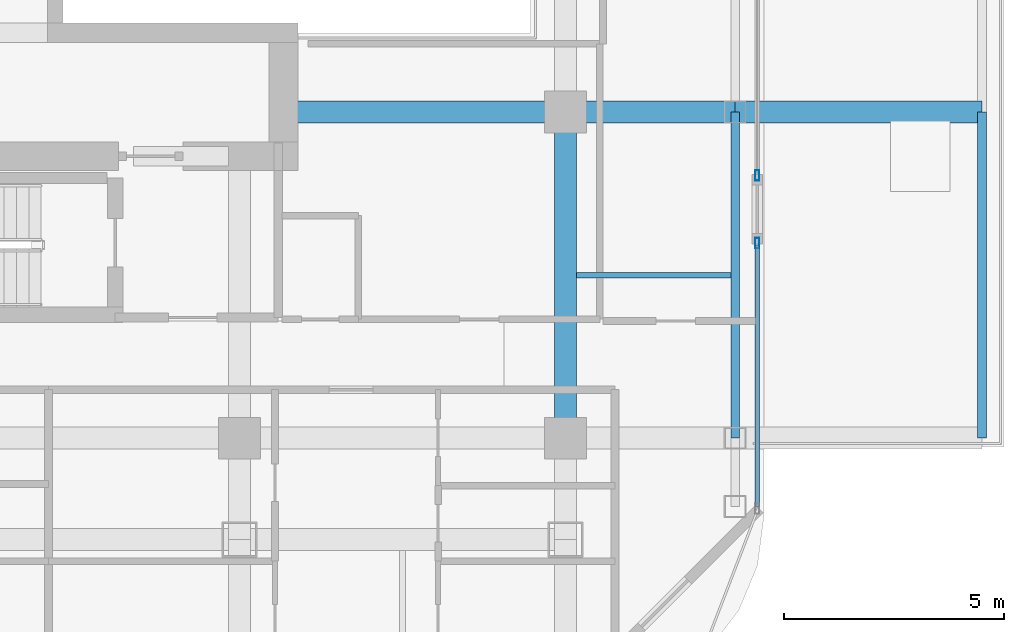
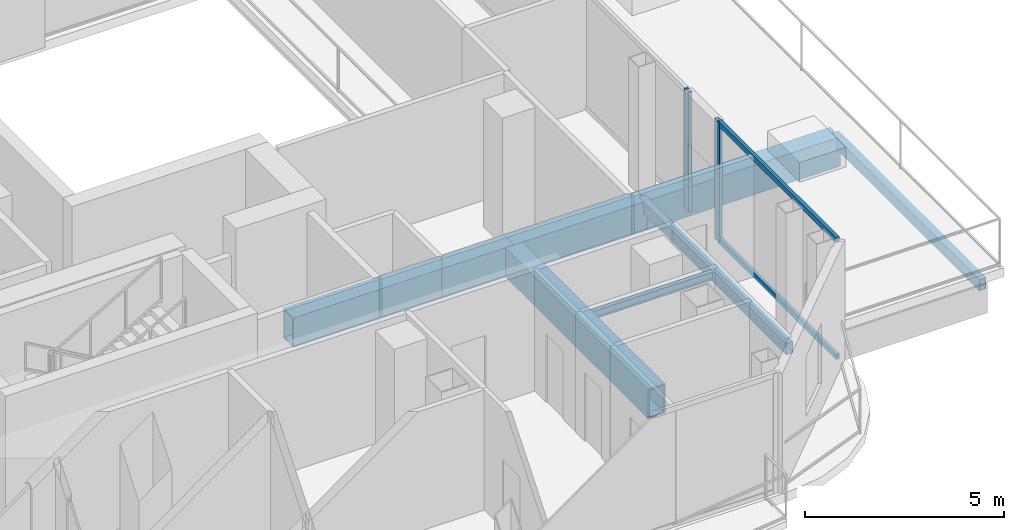
# One storey, part 9 of 24: 7 beams, 4 members, 2 elements without a shape of their own.
"""IFC4 building model written with IfcOpenShell, lengths in metres."""

from ifc_helpers import new_model, si_unit, direction, frame, origin, origin_2d, place, context, subcontext, project, spatial, hollow_rectangle, i_section, extrude, material, layer, layer_set, material_profile, profile_set, type_object, element, aggregate, save


model = new_model("IFC4")

# Units and contexts
model_context = context("Model", 3, precision=1e-05, world=origin(), true_north=direction((0.0, 1.0)))
body_context = subcontext(model_context, "Body", "Model", "MODEL_VIEW")
ifc_project = project(units=[si_unit("LENGTHUNIT", "METRE"), si_unit("AREAUNIT", "SQUARE_METRE"), si_unit("VOLUMEUNIT", "CUBIC_METRE"), si_unit("PLANEANGLEUNIT", "RADIAN"), si_unit("MASSUNIT", "GRAM", prefix="KILO")], contexts=[model_context])

# Site, building, storey
site_placement = place(None, origin())
site = spatial("IfcSite", under=ifc_project, at=site_placement, CompositionType="ELEMENT")
building_placement = place(site_placement, origin())
building = spatial("IfcBuilding", under=site, at=building_placement, Name="Khorvyn Point Tower", CompositionType="ELEMENT")
storey_placement = place(building_placement, frame((0.0, 0.0, 285.89990234375)))
storey = spatial("IfcBuildingStorey", under=building, at=storey_placement, Name="L70", CompositionType="ELEMENT", Elevation=285.89990234375)

# Curtain wall, member
ifc_material_1 = material(Name="Anodised aluminium 6063-T6 and laminated Low-E glass", Category="aluminium")
ifc_layer = layer(ifc_material_1, 0.18994140625)
ifc_layer_set = layer_set([ifc_layer], Name="Stick-Built High-Wind Curtain Wall CW-SYS-04")
curtain_wall_type = type_object("IfcCurtainWallType", Name="Stick-Built High-Wind Curtain Wall CW-SYS-04", PredefinedType="NOTDEFINED", material=ifc_layer_set)
curtain_wall_1_placement = place(storey_placement, origin())
curtain_wall_1 = element("IfcCurtainWall", 1, at=curtain_wall_1_placement, inside=storey, type_object=curtain_wall_type, Name="Curtain Wall", PredefinedType="NOTDEFINED")
ifc_material_2 = material(Name="Anodised aluminium 6063-T6", Category="aluminium")
ifc_material_profile_1 = material_profile(ifc_material_2, hollow_rectangle(XDim=0.10009765625, YDim=0.239990234375, WallThickness=0.0048828125, at=origin_2d()))
ifc_profile_set_1 = profile_set([ifc_material_profile_1], Name="Anodised aluminium 6063-T6 ALU-MUL-100x240")
member_type_1 = type_object("IfcMemberType", Name="Anodised Aluminium 6063-T6 Mullion ALU-MUL-100x240", PredefinedType="MULLION", material=ifc_profile_set_1)
member_1_placement = place(storey_placement, frame((19.14990234375, -8.8349609375, 0.0), z_axis=(0.0, 0.0, 1.0), x_axis=(1.0, 0.0, 0.0)))
member_1 = element("IfcMember", 2, at=member_1_placement, type_object=member_type_1, Name="Transom", PredefinedType="MULLION", context=body_context, shape_type="SweptSolid", body=[
    extrude(hollow_rectangle(XDim=0.10009765625, YDim=0.239990234375, WallThickness=0.0048828125, at=origin_2d()), origin(), (0.0, 0.0, 1.0), 3.68017578125),
])
aggregate(curtain_wall_1, [member_1])

# Curtain wall, members
curtain_wall_2_placement = place(storey_placement, origin())
curtain_wall_2 = element("IfcCurtainWall", 3, at=curtain_wall_2_placement, inside=storey, type_object=curtain_wall_type, Name="Curtain Wall", PredefinedType="NOTDEFINED")
member_2_placement = place(storey_placement, frame((19.14990234375, -10.375, 0.0), z_axis=(0.0, 0.0, 1.0), x_axis=(1.0, 0.0, 0.0)))
member_2 = element("IfcMember", 4, at=member_2_placement, type_object=member_type_1, Name="Transom", PredefinedType="MULLION", context=body_context, shape_type="SweptSolid", body=[
    extrude(hollow_rectangle(XDim=0.10009765625, YDim=0.239990234375, WallThickness=0.0048828125, at=origin_2d()), origin(), (0.0, 0.0, 1.0), 3.68017578125),
])
ifc_material_profile_2 = material_profile(ifc_material_2, hollow_rectangle(XDim=0.10009765625, YDim=0.159912109375, WallThickness=0.00439453125, at=origin_2d()))
ifc_profile_set_2 = profile_set([ifc_material_profile_2], Name="Anodised aluminium 6063-T6 ALU-TRN-100x160")
member_type_2 = type_object("IfcMemberType", Name="Anodised Aluminium 6063-T6 Transom ALU-TRN-100x160", PredefinedType="USERDEFINED", material=ifc_profile_set_2)
member_3_placement = place(storey_placement, frame((19.14990234375, -10.425048828125, 0.050048828125), z_axis=(0.0, -1.0, 0.0), x_axis=(1.0, 0.0, 0.0)))
member_3 = element("IfcMember", 5, at=member_3_placement, type_object=member_type_2, Name="Transom", ObjectType="TRANSOM", PredefinedType="USERDEFINED", context=body_context, shape_type="SweptSolid", body=[
    extrude(hollow_rectangle(XDim=0.10009765625, YDim=0.159912109375, WallThickness=0.00439453125, at=origin_2d()), origin(), (0.0, 0.0, 1.0), 5.925048828125),
])
member_4_placement = place(storey_placement, frame((19.14990234375, -10.425048828125, 3.630126953125), z_axis=(0.0, -1.0, 0.0), x_axis=(1.0, 0.0, 0.0)))
member_4 = element("IfcMember", 6, at=member_4_placement, type_object=member_type_2, Name="Transom", ObjectType="TRANSOM", PredefinedType="USERDEFINED", context=body_context, shape_type="SweptSolid", body=[
    extrude(hollow_rectangle(XDim=0.10009765625, YDim=0.159912109375, WallThickness=0.00439453125, at=origin_2d()), origin(), (0.0, 0.0, 1.0), 5.925048828125),
])
aggregate(curtain_wall_2, [member_2, member_3, member_4])

# Beams
ifc_material_3 = material(Name="Steel S355", Category="steel")
ifc_material_profile_3 = material_profile(ifc_material_3, i_section(OverallWidth=0.125, OverallDepth=0.25, WebThickness=0.006103515625, FlangeThickness=0.009033203125, at=origin_2d()))
ifc_profile_set_3 = profile_set([ifc_material_profile_3], Name="Steel S355 H250x125x6x9")
beam_type_1 = type_object("IfcBeamType", Name="Steel S355 Joist H250x125x6x9", PredefinedType="JOIST", material=ifc_profile_set_3)
beam_1_placement = place(storey_placement, frame((15.050048828125, -11.10009765625, -0.40478515625), z_axis=(1.0, 0.0, 0.0), x_axis=(0.0, 1.0, 0.0)))
element("IfcBeam", 7, at=beam_1_placement, inside=storey, type_object=beam_type_1, Name="Beam", PredefinedType="JOIST", context=body_context, shape_type="SweptSolid", body=[
    extrude(i_section(OverallWidth=0.125, OverallDepth=0.25, WebThickness=0.006103515625, FlangeThickness=0.009033203125, at=origin_2d()), origin(), (0.0, 0.0, 1.0), 3.5),
])
ifc_material_profile_4 = material_profile(ifc_material_3, hollow_rectangle(XDim=0.199951171875, YDim=0.35009765625, WallThickness=0.013916015625, at=origin_2d()))
ifc_profile_set_4 = profile_set([ifc_material_profile_4], Name="Steel S355 RHS350x200x14")
beam_type_2 = type_object("IfcBeamType", Name="Steel S355 Spandrel RHS350x200x14", PredefinedType="SPANDREL", material=ifc_profile_set_4)
for number, where, z_axis, x_axis, name in (
    (8, (18.64990234375, -14.800048828125, -0.454833984375), (0.0, 1.0, 0.0), (-1.0, 0.0, 0.0), "Beam"),
    (9, (24.25, -14.800048828125, -0.454833984375), (0.0, 1.0, 0.0), (-1.0, 0.0, 0.0), "Beam"),
):
    element("IfcBeam", number, at=place(storey_placement, frame(where, z_axis=z_axis, x_axis=x_axis)), inside=storey, type_object=beam_type_2, Name=name, PredefinedType="SPANDREL", context=body_context, shape_type="SweptSolid", body=[
        extrude(hollow_rectangle(XDim=0.199951171875, YDim=0.35009765625, WallThickness=0.013916015625, at=origin_2d()), origin(), (0.0, 0.0, 1.0), 7.400146484375),
    ])
ifc_material_4 = material(Name="Steel S450", Category="steel")
ifc_material_profile_5 = material_profile(ifc_material_4, hollow_rectangle(XDim=0.5, YDim=0.89990234375, WallThickness=0.0400390625, at=origin_2d()))
ifc_profile_set_5 = profile_set([ifc_material_profile_5], Name="Steel S450 BOX900x500x40")
beam_type_3 = type_object("IfcBeamType", Name="Steel S450 Beam BOX900x500x40", PredefinedType="BEAM", material=ifc_profile_set_5)
beam_2_placement = place(storey_placement, frame((8.39990234375, -7.39990234375, -0.72998046875), z_axis=(1.0, 0.0, 0.0), x_axis=(0.0, 1.0, 0.0)))
element("IfcBeam", 10, at=beam_2_placement, inside=storey, type_object=beam_type_3, Name="Beam", PredefinedType="BEAM", context=body_context, shape_type="SweptSolid", body=[
    extrude(hollow_rectangle(XDim=0.5, YDim=0.89990234375, WallThickness=0.0400390625, at=origin_2d()), origin(), (0.0, 0.0, 1.0), 6.400146484375),
])
beam_3_placement = place(storey_placement, frame((14.800048828125, -7.39990234375, -0.72998046875), z_axis=(1.0, 0.0, 0.0), x_axis=(0.0, 1.0, 0.0)))
element("IfcBeam", 11, at=beam_3_placement, inside=storey, type_object=beam_type_3, Name="Beam", PredefinedType="BEAM", context=body_context, shape_type="SweptSolid", body=[
    extrude(hollow_rectangle(XDim=0.5, YDim=0.89990234375, WallThickness=0.0400390625, at=origin_2d()), origin(), (0.0, 0.0, 1.0), 3.849853515625),
])
beam_4_placement = place(storey_placement, frame((18.64990234375, -7.39990234375, -0.72998046875), z_axis=(1.0, 0.0, 0.0), x_axis=(0.0, 1.0, 0.0)))
element("IfcBeam", 12, at=beam_4_placement, inside=storey, type_object=beam_type_3, Name="Beam", PredefinedType="BEAM", context=body_context, shape_type="SweptSolid", body=[
    extrude(hollow_rectangle(XDim=0.5, YDim=0.89990234375, WallThickness=0.0400390625, at=origin_2d()), origin(), (0.0, 0.0, 1.0), 5.60009765625),
])
beam_5_placement = place(storey_placement, frame((14.800048828125, -14.800048828125, -0.72998046875), z_axis=(0.0, 1.0, 0.0), x_axis=(-1.0, 0.0, 0.0)))
element("IfcBeam", 13, at=beam_5_placement, inside=storey, type_object=beam_type_3, Name="L70 Radial Transfer Girder", PredefinedType="BEAM", context=body_context, shape_type="SweptSolid", body=[
    extrude(hollow_rectangle(XDim=0.5, YDim=0.89990234375, WallThickness=0.0400390625, at=origin_2d()), origin(), (0.0, 0.0, 1.0), 7.400146484375),
])

save(model, "model.ifc")
